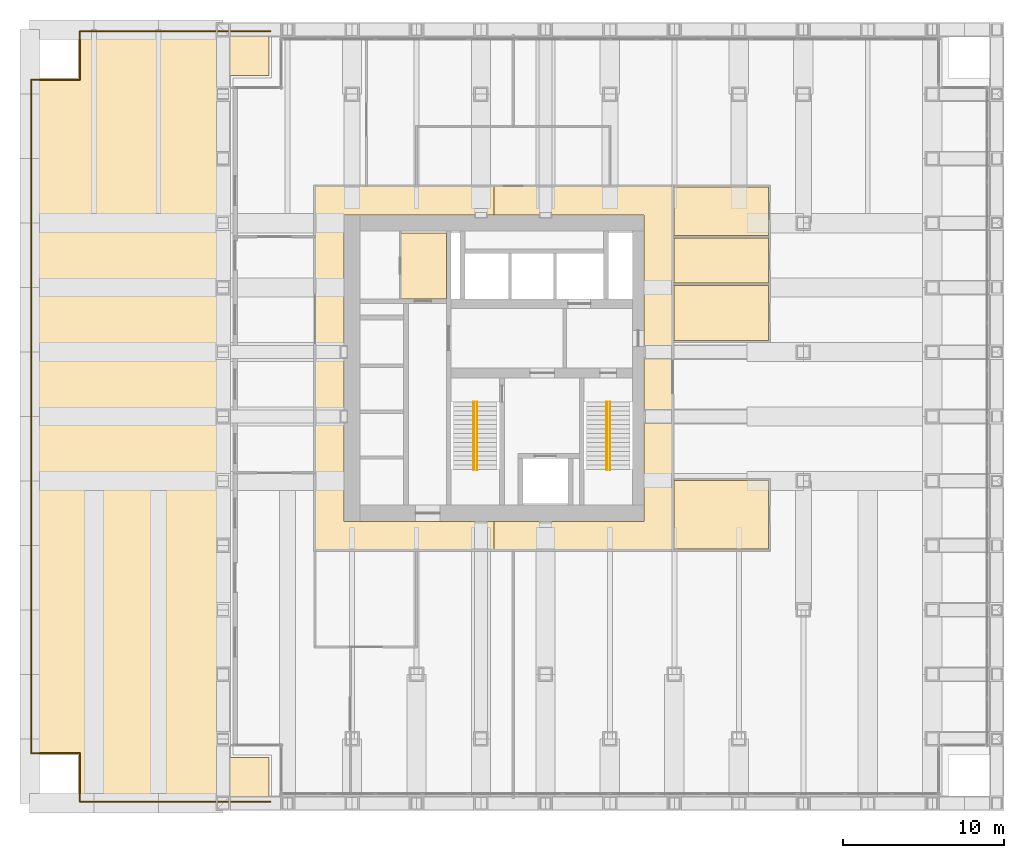
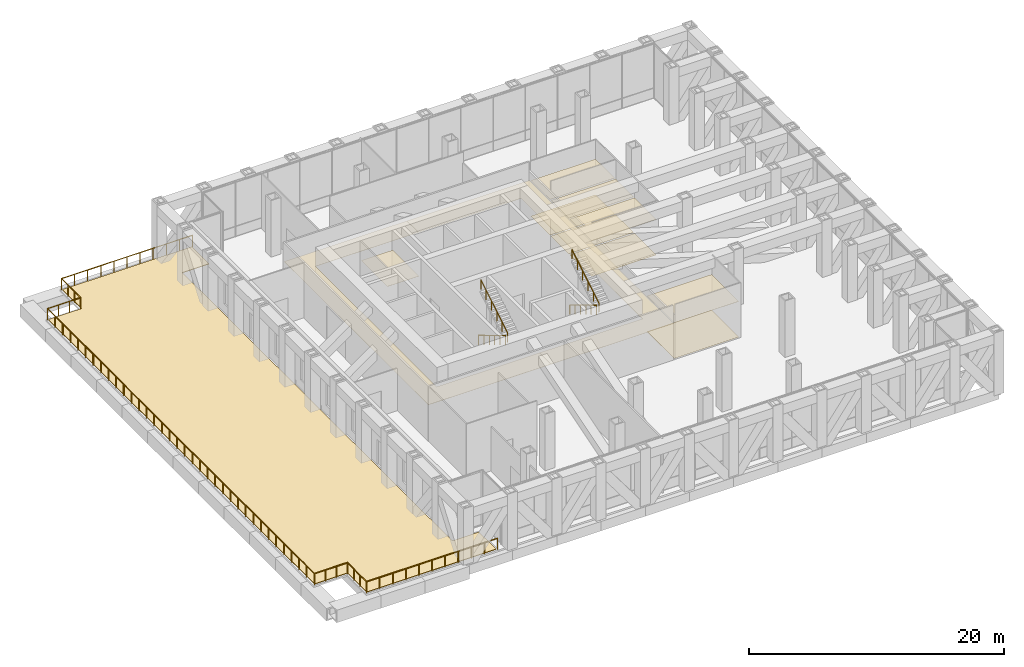
# One storey, part 14 of 14: 12 coverings, 5 railings.
"""IFC4 building model written with IfcOpenShell, lengths in metres."""

import ifcopenshell
import ifcopenshell.guid

model = None  # the IFC model being written
_history = None  # IfcOwnerHistory: only IFC2X3 demands one
_inside = {}  # id of a spatial element -> (the spatial element, [elements in it])
_under = {}  # id of a project, library or spatial element -> (it, [spatial elements below it])
_declared = {}  # id of a project -> (the project, [libraries it declares])
_typed = {}  # id of a type object -> (the type object, [elements of that type])
_made_of = {}  # id of a material, layer set ... -> (it, [elements and type objects made of it])


def new_model(schema):
    """Start an empty IFC model of exactly this schema.

    Asked for "IFC4X3", IfcOpenShell would pick the latest addendum, in which some entities
    have other attributes; the version numbers below select the first issue.
    IFC2X3 requires an IfcOwnerHistory on every rooted entity: one is made here for all.
    """
    global model, _history
    if schema == "IFC4X3":
        model = ifcopenshell.file(schema_version=(4, 3, 0, 0))
    else:
        model = ifcopenshell.file(schema=schema)
    _inside.clear()
    _under.clear()
    _declared.clear()
    _typed.clear()
    _made_of.clear()
    _history = None
    if model.schema == "IFC2X3":
        org = make("IfcOrganization", Name="unknown")
        user = make(
            "IfcPersonAndOrganization",
            ThePerson=make("IfcPerson", FamilyName="unknown"),
            TheOrganization=org,
        )
        app = make(
            "IfcApplication",
            ApplicationDeveloper=org,
            Version="unknown",
            ApplicationFullName="unknown",
            ApplicationIdentifier="unknown",
        )
        _history = make(
            "IfcOwnerHistory",
            OwningUser=user,
            OwningApplication=app,
            ChangeAction="ADDED",
            CreationDate=0,
        )
    return model


def make(cls, **values):
    """One entity of the class cls with the attributes given. An attribute that is None is left unset."""
    return model.create_entity(
        cls, **{name: value for name, value in values.items() if value is not None}
    )


def rooted(cls, **values):
    """An entity with a GlobalId (a new one), such as an element, a storey or a relation."""
    return make(cls, GlobalId=ifcopenshell.guid.new(), OwnerHistory=_history, **values)


def si_unit(unit_type, name, prefix=None):
    """IfcSIUnit, for example si_unit("LENGTHUNIT", "METRE", prefix="MILLI")."""
    return make("IfcSIUnit", UnitType=unit_type, Prefix=prefix, Name=name)


def assignment(units):
    """IfcUnitAssignment: the units of a project."""
    return None if units is None else make("IfcUnitAssignment", Units=units)


def point(xyz):
    """IfcCartesianPoint."""
    return None if xyz is None else make("IfcCartesianPoint", Coordinates=xyz)


def direction(xyz):
    """IfcDirection."""
    return None if xyz is None else make("IfcDirection", DirectionRatios=xyz)


def frame(location, z_axis=None, x_axis=None):
    """IfcAxis2Placement3D, a coordinate frame: its origin and axes. An axis left out is left unset."""
    return make(
        "IfcAxis2Placement3D",
        Location=point(location),
        Axis=direction(z_axis),
        RefDirection=direction(x_axis),
    )


def frame_2d(location, x_axis=None):
    """IfcAxis2Placement2D, a coordinate frame in the plane: its origin and x axis."""
    return make(
        "IfcAxis2Placement2D", Location=point(location), RefDirection=direction(x_axis)
    )


def origin():
    """The frame at (0, 0, 0) with its axes left unset."""
    return frame((0.0, 0.0, 0.0))


def origin_2d():
    """The frame at (0, 0) in the plane with its x axis left unset."""
    return frame_2d((0.0, 0.0))


def place(relative_to, where):
    """IfcLocalPlacement: puts the frame where relative to a parent placement (None: the world)."""
    return make(
        "IfcLocalPlacement", PlacementRelTo=relative_to, RelativePlacement=where
    )


def context(
    kind, dimensions, precision=None, world=None, true_north=None, identifier=None
):
    """IfcGeometricRepresentationContext, for example the 3D "Model" context."""
    return make(
        "IfcGeometricRepresentationContext",
        ContextIdentifier=identifier,
        ContextType=kind,
        CoordinateSpaceDimension=dimensions,
        Precision=precision,
        WorldCoordinateSystem=world,
        TrueNorth=true_north,
    )


def subcontext(parent, identifier, kind, view, scale=None):
    """IfcGeometricRepresentationSubContext, for example "Body" below "Model"."""
    return make(
        "IfcGeometricRepresentationSubContext",
        ContextIdentifier=identifier,
        ContextType=kind,
        ParentContext=parent,
        TargetScale=scale,
        TargetView=view,
    )


def project(units=None, contexts=None):
    """IfcProject with its units and contexts."""
    return rooted(
        "IfcProject",
        Name="project",
        RepresentationContexts=contexts,
        UnitsInContext=assignment(units),
    )


def spatial(cls, under=None, at=None, **own):
    """A site, building, storey or space (cls), placed at a placement, below another one or the project."""
    s = rooted(cls, ObjectPlacement=at, **own)
    if under is not None:
        _under.setdefault(under.id(), (under, []))[1].append(s)
    return s


def polyline(points):
    """IfcPolyline through the points."""
    return make("IfcPolyline", Points=[point(p) for p in points])


def profile(cls, at=None, kind="AREA", **sizes):
    """A parametric profile (cls). Its sizes go by their IFC names, for example OverallWidth=200.0."""
    return make(cls, ProfileType=kind, Position=at, **sizes)


def circle(**sizes):
    """IfcCircleProfileDef."""
    return profile("IfcCircleProfileDef", **sizes)


def outline(outer, holes=None, kind="AREA"):
    """IfcArbitraryClosedProfileDef: a profile drawn as a closed curve; with holes, ...WithVoids."""
    if holes is None:
        return make("IfcArbitraryClosedProfileDef", ProfileType=kind, OuterCurve=outer)
    return make(
        "IfcArbitraryProfileDefWithVoids",
        ProfileType=kind,
        OuterCurve=outer,
        InnerCurves=holes,
    )


def extrude(swept, where, along, depth):
    """IfcExtrudedAreaSolid: the profile swept, set in the frame where, extruded along a direction by depth."""
    return make(
        "IfcExtrudedAreaSolid",
        SweptArea=swept,
        Position=where,
        ExtrudedDirection=direction(along),
        Depth=depth,
    )


def shape(context_of_items, identifier, shape_type, items):
    """IfcShapeRepresentation: the items that make up one representation, for example the "Body"."""
    return make(
        "IfcShapeRepresentation",
        ContextOfItems=context_of_items,
        RepresentationIdentifier=identifier,
        RepresentationType=shape_type,
        Items=items,
    )


def material(Name=None, Category=None):
    """IfcMaterial."""
    return make("IfcMaterial", Name=Name, Category=Category)


def layer(
    of_material, thickness, ventilated=None, Name=None, Category=None, Priority=None
):
    """IfcMaterialLayer: one layer of a wall or slab, of a material (None: an air gap)."""
    return make(
        "IfcMaterialLayer",
        Material=of_material,
        LayerThickness=thickness,
        IsVentilated=ventilated,
        Name=Name,
        Category=Category,
        Priority=Priority,
    )


def layer_set(layers, Name=None):
    """IfcMaterialLayerSet."""
    return make("IfcMaterialLayerSet", MaterialLayers=layers, LayerSetName=Name)


def made_of(thing, what):
    """Note that an element or type object is made of a material, layer set ...; save() writes the relation."""
    if what is not None:
        _made_of.setdefault(what.id(), (what, []))[1].append(thing)
    return thing


def type_object(cls, material=None, **own):
    """A type object (cls), such as IfcWallType, which elements share."""
    return made_of(rooted(cls, **own), material)


def element(
    cls,
    number,
    at=None,
    inside=None,
    cuts=None,
    type_object=None,
    material=None,
    context=None,
    identifier="Body",
    shape_type=None,
    held_by="IfcProductDefinitionShape",
    body=None,
    shapes=None,
    **own,
):
    """One element of the class cls, such as IfcWall. Its Tag is "e" and its number.

    at: its placement. inside: the storey or other place that contains it. cuts: it is an
    opening in that element (IfcRelVoidsElement). A single representation is given by context,
    identifier, shape_type and body (its items); several are given by shapes. held_by: the class
    of the entity that holds the representations. save() writes the other relations.
    """
    e = rooted(cls, Tag="e%d" % number, ObjectPlacement=at, **own)
    if body is not None:
        shapes = [shape(context, identifier, shape_type, body)]
    if shapes is not None:
        e.Representation = make(held_by, Representations=shapes)
    if inside is not None:
        _inside.setdefault(inside.id(), (inside, []))[1].append(e)
    if cuts is not None:
        rooted(
            "IfcRelVoidsElement", RelatingBuildingElement=cuts, RelatedOpeningElement=e
        )
    if type_object is not None:
        _typed.setdefault(type_object.id(), (type_object, []))[1].append(e)
    return made_of(e, material)


def aggregate(whole, parts):
    """IfcRelAggregates: a whole, such as a stair, and the parts it consists of."""
    return rooted("IfcRelAggregates", RelatingObject=whole, RelatedObjects=parts)


def save(model, path):
    """Write the relations noted so far, then the file.

    IfcRelAggregates (storeys below a building ...), IfcRelContainedInSpatialStructure (elements
    in a storey), IfcRelDefinesByType, IfcRelAssociatesMaterial and IfcRelDeclares: one each for
    every whole, place, type object, material and project.
    """
    for whole, parts in _under.values():
        aggregate(whole, parts)
    for where, things in _inside.values():
        rooted(
            "IfcRelContainedInSpatialStructure",
            RelatedElements=things,
            RelatingStructure=where,
        )
    for kind, things in _typed.values():
        rooted("IfcRelDefinesByType", RelatedObjects=things, RelatingType=kind)
    for what, things in _made_of.values():
        rooted("IfcRelAssociatesMaterial", RelatedObjects=things, RelatingMaterial=what)
    for by, libraries in _declared.values():
        rooted("IfcRelDeclares", RelatingContext=by, RelatedDefinitions=libraries)
    model.write(path)


model = new_model("IFC4")

# Units and contexts
model_context = context("Model", 3, precision=1e-05, world=origin(), true_north=direction((0.0, 1.0)))
body_context = subcontext(model_context, "Body", "Model", "MODEL_VIEW")
ifc_project = project(units=[si_unit("LENGTHUNIT", "METRE"), si_unit("AREAUNIT", "SQUARE_METRE"), si_unit("VOLUMEUNIT", "CUBIC_METRE"), si_unit("PLANEANGLEUNIT", "RADIAN"), si_unit("MASSUNIT", "GRAM", prefix="KILO")], contexts=[model_context])

# Site, building, storey
site_placement = place(None, origin())
site = spatial("IfcSite", under=ifc_project, at=site_placement, CompositionType="ELEMENT")
building_placement = place(site_placement, origin())
building = spatial("IfcBuilding", under=site, at=building_placement, Name="Rimbunsela Tower", CompositionType="ELEMENT")
storey_placement = place(building_placement, frame((0.0, 0.0, 71.0)))
storey = spatial("IfcBuildingStorey", under=building, at=storey_placement, Name="L17", CompositionType="ELEMENT", Elevation=71.0)

# Coverings
ifc_material_1 = material(Name="Nylon carpet tile", Category="textile")
ifc_layer_1 = layer(ifc_material_1, 0.010009765625)
ifc_layer_set_1 = layer_set([ifc_layer_1], Name="Carpet tile 10")
covering_type_1 = type_object("IfcCoveringType", Name="Carpet tile 10", PredefinedType="FLOORING", material=ifc_layer_set_1)
covering_1_placement = place(storey_placement, origin())
element("IfcCovering", 1, at=covering_1_placement, inside=storey, type_object=covering_type_1, Name="Floor finish Building engineer's office", PredefinedType="FLOORING", context=body_context, shape_type="SweptSolid", body=[
    extrude(outline(polyline([(43.824951171875, 15.77490234375), (43.824951171875, 20.02490234375), (37.97509765625, 20.02490234375), (37.97509765625, 15.77490234375), (43.824951171875, 15.77490234375)])), origin(), (0.0, 0.0, 1.0), 0.010009765625),
])
covering_2_placement = place(storey_placement, origin())
element("IfcCovering", 2, at=covering_2_placement, inside=storey, type_object=covering_type_1, Name="Floor finish Staff rest room", PredefinedType="FLOORING", context=body_context, shape_type="SweptSolid", body=[
    extrude(outline(polyline([(43.824951171875, 28.72509765625), (43.824951171875, 32.125), (37.97509765625, 32.125), (37.97509765625, 28.72509765625), (43.824951171875, 28.72509765625)])), origin(), (0.0, 0.0, 1.0), 0.010009765625),
])
covering_3_placement = place(storey_placement, origin())
element("IfcCovering", 3, at=covering_3_placement, inside=storey, type_object=covering_type_1, Name="Floor finish First aid room", PredefinedType="FLOORING", context=body_context, shape_type="SweptSolid", body=[
    extrude(outline(polyline([(43.824951171875, 32.27490234375), (43.824951171875, 35.074951171875), (37.97509765625, 35.074951171875), (37.97509765625, 32.27490234375), (43.824951171875, 32.27490234375)])), origin(), (0.0, 0.0, 1.0), 0.010009765625),
])
covering_4_placement = place(storey_placement, origin())
element("IfcCovering", 4, at=covering_4_placement, inside=storey, type_object=covering_type_1, Name="Floor finish Quiet room", PredefinedType="FLOORING", context=body_context, shape_type="SweptSolid", body=[
    extrude(outline(polyline([(43.824951171875, 35.22509765625), (43.824951171875, 38.22509765625), (37.97509765625, 38.22509765625), (37.97509765625, 35.22509765625), (43.824951171875, 35.22509765625)])), origin(), (0.0, 0.0, 1.0), 0.010009765625),
])
ifc_material_2 = material(Name="Mineral fibre ceiling tile", Category="gypsum")
ifc_layer_2 = layer(ifc_material_2, 0.02001953125)
ifc_layer_set_2 = layer_set([ifc_layer_2], Name="Ceiling 600 grid")
covering_type_2 = type_object("IfcCoveringType", Name="Ceiling 600 grid", PredefinedType="CEILING", material=ifc_layer_set_2)
covering_5_placement = place(storey_placement, frame((0.0, 0.0, 3.39990234375)))
element("IfcCovering", 5, at=covering_5_placement, inside=storey, type_object=covering_type_2, Name="Ceiling IT room", PredefinedType="CEILING", context=body_context, shape_type="SweptSolid", body=[
    extrude(outline(polyline([(23.85009765625, 31.300048828125), (23.85009765625, 35.39990234375), (21.0, 35.39990234375), (21.0, 31.300048828125), (23.85009765625, 31.300048828125)])), origin(), (0.0, 0.0, 1.0), 0.02001953125),
])
covering_6_placement = place(storey_placement, frame((0.0, 0.0, 3.39990234375)))
element("IfcCovering", 6, at=covering_6_placement, inside=storey, type_object=covering_type_2, Name="Ceiling Ring corridor", PredefinedType="CEILING", context=body_context, shape_type="SweptSolid", body=[
    extrude(outline(polyline([(15.699951171875, 38.300048828125), (26.800048828125, 38.300048828125), (26.800048828125, 36.5), (17.5, 36.5), (17.5, 17.5), (26.800048828125, 17.5), (26.800048828125, 15.699951171875), (15.699951171875, 15.699951171875), (15.699951171875, 38.300048828125)])), origin(), (0.0, 0.0, 1.0), 0.02001953125),
])
covering_7_placement = place(storey_placement, frame((0.0, 0.0, 3.39990234375)))
element("IfcCovering", 7, at=covering_7_placement, inside=storey, type_object=covering_type_2, Name="Ceiling Ring corridor", PredefinedType="CEILING", context=body_context, shape_type="SweptSolid", body=[
    extrude(outline(polyline([(37.89990234375, 38.300048828125), (37.89990234375, 15.699951171875), (26.800048828125, 15.699951171875), (26.800048828125, 17.5), (36.10009765625, 17.5), (36.10009765625, 36.5), (26.800048828125, 36.5), (26.800048828125, 38.300048828125), (37.89990234375, 38.300048828125)])), origin(), (0.0, 0.0, 1.0), 0.02001953125),
])
covering_8_placement = place(storey_placement, frame((0.0, 0.0, 3.39990234375)))
element("IfcCovering", 8, at=covering_8_placement, inside=storey, type_object=covering_type_2, Name="Ceiling Building engineer's office", PredefinedType="CEILING", context=body_context, shape_type="SweptSolid", body=[
    extrude(outline(polyline([(43.824951171875, 15.77490234375), (43.824951171875, 20.02490234375), (37.97509765625, 20.02490234375), (37.97509765625, 15.77490234375), (43.824951171875, 15.77490234375)])), origin(), (0.0, 0.0, 1.0), 0.02001953125),
])
covering_9_placement = place(storey_placement, frame((0.0, 0.0, 3.39990234375)))
element("IfcCovering", 9, at=covering_9_placement, inside=storey, type_object=covering_type_2, Name="Ceiling Staff rest room", PredefinedType="CEILING", context=body_context, shape_type="SweptSolid", body=[
    extrude(outline(polyline([(43.824951171875, 28.72509765625), (43.824951171875, 32.125), (37.97509765625, 32.125), (37.97509765625, 28.72509765625), (43.824951171875, 28.72509765625)])), origin(), (0.0, 0.0, 1.0), 0.02001953125),
])
covering_10_placement = place(storey_placement, frame((0.0, 0.0, 3.39990234375)))
element("IfcCovering", 10, at=covering_10_placement, inside=storey, type_object=covering_type_2, Name="Ceiling First aid room", PredefinedType="CEILING", context=body_context, shape_type="SweptSolid", body=[
    extrude(outline(polyline([(43.824951171875, 32.27490234375), (43.824951171875, 35.074951171875), (37.97509765625, 35.074951171875), (37.97509765625, 32.27490234375), (43.824951171875, 32.27490234375)])), origin(), (0.0, 0.0, 1.0), 0.02001953125),
])
covering_11_placement = place(storey_placement, frame((0.0, 0.0, 3.39990234375)))
element("IfcCovering", 11, at=covering_11_placement, inside=storey, type_object=covering_type_2, Name="Ceiling Quiet room", PredefinedType="CEILING", context=body_context, shape_type="SweptSolid", body=[
    extrude(outline(polyline([(43.824951171875, 35.22509765625), (43.824951171875, 38.22509765625), (37.97509765625, 38.22509765625), (37.97509765625, 35.22509765625), (43.824951171875, 35.22509765625)])), origin(), (0.0, 0.0, 1.0), 0.02001953125),
])

# Railings
ifc_material_3 = material(Name="Galvanised steel guard", Category="steel")
railing_type_1 = type_object("IfcRailingType", Name="Roof edge guard 1100", PredefinedType="GUARDRAIL", material=ifc_material_3)
railing_1_placement = place(storey_placement, frame((12.949951171875, 0.10009765625, 0.0)))
element("IfcRailing", 12, at=railing_1_placement, inside=storey, type_object=railing_type_1, Name="Roof edge guard L17", PredefinedType="GUARDRAIL", context=body_context, shape_type="SweptSolid", body=[
    extrude(circle(Radius=0.02392578125, at=origin_2d()), frame((0.0, 0.0, 1.076171875), z_axis=(-1.0, 0.0, 0.0), x_axis=(0.0, -1.0, 0.0)), (0.0, 0.0, 1.0), 11.849853515625),
    extrude(circle(Radius=0.02392578125, at=origin_2d()), frame((-11.849853515625, 0.0, 1.076171875), z_axis=(0.0, 1.0, 0.0), x_axis=(-1.0, 0.0, 0.0)), (0.0, 0.0, 1.0), 3.0),
    extrude(circle(Radius=0.02392578125, at=origin_2d()), frame((-11.849853515625, 3.0, 1.076171875), z_axis=(-1.0, 0.0, 0.0), x_axis=(0.0, -1.0, 0.0)), (0.0, 0.0, 1.0), 3.0),
    extrude(circle(Radius=0.02392578125, at=origin_2d()), frame((-14.849853515625, 3.0, 1.076171875), z_axis=(0.0, 1.0, 0.0), x_axis=(-1.0, 0.0, 0.0)), (0.0, 0.0, 1.0), 41.7998046875),
    extrude(circle(Radius=0.02392578125, at=origin_2d()), frame((-14.849853515625, 44.7998046875, 1.076171875), z_axis=(1.0, 0.0, 0.0), x_axis=(0.0, 1.0, 0.0)), (0.0, 0.0, 1.0), 3.0),
    extrude(circle(Radius=0.02392578125, at=origin_2d()), frame((-11.849853515625, 44.7998046875, 1.076171875), z_axis=(0.0, 1.0, 0.0), x_axis=(-1.0, 0.0, 0.0)), (0.0, 0.0, 1.0), 3.0),
    extrude(circle(Radius=0.02392578125, at=origin_2d()), frame((-11.849853515625, 47.7998046875, 1.076171875), z_axis=(1.0, 0.0, 0.0), x_axis=(0.0, 1.0, 0.0)), (0.0, 0.0, 1.0), 11.849853515625),
    extrude(circle(Radius=0.02099609375, at=origin_2d()), origin(), (0.0, 0.0, 1.0), 1.052001953125),
    extrude(circle(Radius=0.02099609375, at=origin_2d()), frame((-1.18505859375, 0.0, 0.0)), (0.0, 0.0, 1.0), 1.052001953125),
    extrude(circle(Radius=0.02099609375, at=origin_2d()), frame((-2.369873046875, 0.0, 0.0)), (0.0, 0.0, 1.0), 1.052001953125),
    extrude(circle(Radius=0.02099609375, at=origin_2d()), frame((-3.554931640625, 0.0, 0.0)), (0.0, 0.0, 1.0), 1.052001953125),
    extrude(circle(Radius=0.02099609375, at=origin_2d()), frame((-4.739990234375, 0.0, 0.0)), (0.0, 0.0, 1.0), 1.052001953125),
    extrude(circle(Radius=0.02099609375, at=origin_2d()), frame((-5.9248046875, 0.0, 0.0)), (0.0, 0.0, 1.0), 1.052001953125),
    extrude(circle(Radius=0.02099609375, at=origin_2d()), frame((-7.10986328125, 0.0, 0.0)), (0.0, 0.0, 1.0), 1.052001953125),
    extrude(circle(Radius=0.02099609375, at=origin_2d()), frame((-8.294921875, 0.0, 0.0)), (0.0, 0.0, 1.0), 1.052001953125),
    extrude(circle(Radius=0.02099609375, at=origin_2d()), frame((-9.47998046875, 0.0, 0.0)), (0.0, 0.0, 1.0), 1.052001953125),
    extrude(circle(Radius=0.02099609375, at=origin_2d()), frame((-10.664794921875, 0.0, 0.0)), (0.0, 0.0, 1.0), 1.052001953125),
    extrude(circle(Radius=0.02099609375, at=origin_2d()), frame((-11.849853515625, 0.0, 0.0)), (0.0, 0.0, 1.0), 1.052001953125),
    extrude(circle(Radius=0.02099609375, at=origin_2d()), frame((-11.849853515625, 1.0, 0.0)), (0.0, 0.0, 1.0), 1.052001953125),
    extrude(circle(Radius=0.02099609375, at=origin_2d()), frame((-11.849853515625, 2.0, 0.0)), (0.0, 0.0, 1.0), 1.052001953125),
    extrude(circle(Radius=0.02099609375, at=origin_2d()), frame((-11.849853515625, 3.0, 0.0)), (0.0, 0.0, 1.0), 1.052001953125),
    extrude(circle(Radius=0.02099609375, at=origin_2d()), frame((-12.849853515625, 3.0, 0.0)), (0.0, 0.0, 1.0), 1.052001953125),
    extrude(circle(Radius=0.02099609375, at=origin_2d()), frame((-13.849853515625, 3.0, 0.0)), (0.0, 0.0, 1.0), 1.052001953125),
    extrude(circle(Radius=0.02099609375, at=origin_2d()), frame((-14.849853515625, 3.0, 0.0)), (0.0, 0.0, 1.0), 1.052001953125),
    extrude(circle(Radius=0.02099609375, at=origin_2d()), frame((-14.849853515625, 4.1943359375, 0.0)), (0.0, 0.0, 1.0), 1.052001953125),
    extrude(circle(Radius=0.02099609375, at=origin_2d()), frame((-14.849853515625, 5.388671875, 0.0)), (0.0, 0.0, 1.0), 1.052001953125),
    extrude(circle(Radius=0.02099609375, at=origin_2d()), frame((-14.849853515625, 6.582763671875, 0.0)), (0.0, 0.0, 1.0), 1.052001953125),
    extrude(circle(Radius=0.02099609375, at=origin_2d()), frame((-14.849853515625, 7.777099609375, 0.0)), (0.0, 0.0, 1.0), 1.052001953125),
    extrude(circle(Radius=0.02099609375, at=origin_2d()), frame((-14.849853515625, 8.971435546875, 0.0)), (0.0, 0.0, 1.0), 1.052001953125),
    extrude(circle(Radius=0.02099609375, at=origin_2d()), frame((-14.849853515625, 10.165771484375, 0.0)), (0.0, 0.0, 1.0), 1.052001953125),
    extrude(circle(Radius=0.02099609375, at=origin_2d()), frame((-14.849853515625, 11.35986328125, 0.0)), (0.0, 0.0, 1.0), 1.052001953125),
    extrude(circle(Radius=0.02099609375, at=origin_2d()), frame((-14.849853515625, 12.55419921875, 0.0)), (0.0, 0.0, 1.0), 1.052001953125),
    extrude(circle(Radius=0.02099609375, at=origin_2d()), frame((-14.849853515625, 13.74853515625, 0.0)), (0.0, 0.0, 1.0), 1.052001953125),
    extrude(circle(Radius=0.02099609375, at=origin_2d()), frame((-14.849853515625, 14.94287109375, 0.0)), (0.0, 0.0, 1.0), 1.052001953125),
    extrude(circle(Radius=0.02099609375, at=origin_2d()), frame((-14.849853515625, 16.136962890625, 0.0)), (0.0, 0.0, 1.0), 1.052001953125),
    extrude(circle(Radius=0.02099609375, at=origin_2d()), frame((-14.849853515625, 17.331298828125, 0.0)), (0.0, 0.0, 1.0), 1.052001953125),
    extrude(circle(Radius=0.02099609375, at=origin_2d()), frame((-14.849853515625, 18.525634765625, 0.0)), (0.0, 0.0, 1.0), 1.052001953125),
    extrude(circle(Radius=0.02099609375, at=origin_2d()), frame((-14.849853515625, 19.719970703125, 0.0)), (0.0, 0.0, 1.0), 1.052001953125),
    extrude(circle(Radius=0.02099609375, at=origin_2d()), frame((-14.849853515625, 20.914306640625, 0.0)), (0.0, 0.0, 1.0), 1.052001953125),
    extrude(circle(Radius=0.02099609375, at=origin_2d()), frame((-14.849853515625, 22.1083984375, 0.0)), (0.0, 0.0, 1.0), 1.052001953125),
    extrude(circle(Radius=0.02099609375, at=origin_2d()), frame((-14.849853515625, 23.302734375, 0.0)), (0.0, 0.0, 1.0), 1.052001953125),
    extrude(circle(Radius=0.02099609375, at=origin_2d()), frame((-14.849853515625, 24.4970703125, 0.0)), (0.0, 0.0, 1.0), 1.052001953125),
    extrude(circle(Radius=0.02099609375, at=origin_2d()), frame((-14.849853515625, 25.69140625, 0.0)), (0.0, 0.0, 1.0), 1.052001953125),
    extrude(circle(Radius=0.02099609375, at=origin_2d()), frame((-14.849853515625, 26.885498046875, 0.0)), (0.0, 0.0, 1.0), 1.052001953125),
    extrude(circle(Radius=0.02099609375, at=origin_2d()), frame((-14.849853515625, 28.079833984375, 0.0)), (0.0, 0.0, 1.0), 1.052001953125),
    extrude(circle(Radius=0.02099609375, at=origin_2d()), frame((-14.849853515625, 29.274169921875, 0.0)), (0.0, 0.0, 1.0), 1.052001953125),
    extrude(circle(Radius=0.02099609375, at=origin_2d()), frame((-14.849853515625, 30.468505859375, 0.0)), (0.0, 0.0, 1.0), 1.052001953125),
    extrude(circle(Radius=0.02099609375, at=origin_2d()), frame((-14.849853515625, 31.662841796875, 0.0)), (0.0, 0.0, 1.0), 1.052001953125),
    extrude(circle(Radius=0.02099609375, at=origin_2d()), frame((-14.849853515625, 32.85693359375, 0.0)), (0.0, 0.0, 1.0), 1.052001953125),
    extrude(circle(Radius=0.02099609375, at=origin_2d()), frame((-14.849853515625, 34.05126953125, 0.0)), (0.0, 0.0, 1.0), 1.052001953125),
    extrude(circle(Radius=0.02099609375, at=origin_2d()), frame((-14.849853515625, 35.24560546875, 0.0)), (0.0, 0.0, 1.0), 1.052001953125),
    extrude(circle(Radius=0.02099609375, at=origin_2d()), frame((-14.849853515625, 36.43994140625, 0.0)), (0.0, 0.0, 1.0), 1.052001953125),
    extrude(circle(Radius=0.02099609375, at=origin_2d()), frame((-14.849853515625, 37.634033203125, 0.0)), (0.0, 0.0, 1.0), 1.052001953125),
    extrude(circle(Radius=0.02099609375, at=origin_2d()), frame((-14.849853515625, 38.828369140625, 0.0)), (0.0, 0.0, 1.0), 1.052001953125),
    extrude(circle(Radius=0.02099609375, at=origin_2d()), frame((-14.849853515625, 40.022705078125, 0.0)), (0.0, 0.0, 1.0), 1.052001953125),
    extrude(circle(Radius=0.02099609375, at=origin_2d()), frame((-14.849853515625, 41.217041015625, 0.0)), (0.0, 0.0, 1.0), 1.052001953125),
    extrude(circle(Radius=0.02099609375, at=origin_2d()), frame((-14.849853515625, 42.4111328125, 0.0)), (0.0, 0.0, 1.0), 1.052001953125),
    extrude(circle(Radius=0.02099609375, at=origin_2d()), frame((-14.849853515625, 43.60546875, 0.0)), (0.0, 0.0, 1.0), 1.052001953125),
    extrude(circle(Radius=0.02099609375, at=origin_2d()), frame((-14.849853515625, 44.7998046875, 0.0)), (0.0, 0.0, 1.0), 1.052001953125),
    extrude(circle(Radius=0.02099609375, at=origin_2d()), frame((-13.849853515625, 44.7998046875, 0.0)), (0.0, 0.0, 1.0), 1.052001953125),
    extrude(circle(Radius=0.02099609375, at=origin_2d()), frame((-12.849853515625, 44.7998046875, 0.0)), (0.0, 0.0, 1.0), 1.052001953125),
    extrude(circle(Radius=0.02099609375, at=origin_2d()), frame((-11.849853515625, 44.7998046875, 0.0)), (0.0, 0.0, 1.0), 1.052001953125),
    extrude(circle(Radius=0.02099609375, at=origin_2d()), frame((-11.849853515625, 45.7998046875, 0.0)), (0.0, 0.0, 1.0), 1.052001953125),
    extrude(circle(Radius=0.02099609375, at=origin_2d()), frame((-11.849853515625, 46.7998046875, 0.0)), (0.0, 0.0, 1.0), 1.052001953125),
    extrude(circle(Radius=0.02099609375, at=origin_2d()), frame((-11.849853515625, 47.7998046875, 0.0)), (0.0, 0.0, 1.0), 1.052001953125),
    extrude(circle(Radius=0.02099609375, at=origin_2d()), frame((-10.664794921875, 47.7998046875, 0.0)), (0.0, 0.0, 1.0), 1.052001953125),
    extrude(circle(Radius=0.02099609375, at=origin_2d()), frame((-9.47998046875, 47.7998046875, 0.0)), (0.0, 0.0, 1.0), 1.052001953125),
    extrude(circle(Radius=0.02099609375, at=origin_2d()), frame((-8.294921875, 47.7998046875, 0.0)), (0.0, 0.0, 1.0), 1.052001953125),
    extrude(circle(Radius=0.02099609375, at=origin_2d()), frame((-7.10986328125, 47.7998046875, 0.0)), (0.0, 0.0, 1.0), 1.052001953125),
    extrude(circle(Radius=0.02099609375, at=origin_2d()), frame((-5.9248046875, 47.7998046875, 0.0)), (0.0, 0.0, 1.0), 1.052001953125),
    extrude(circle(Radius=0.02099609375, at=origin_2d()), frame((-4.739990234375, 47.7998046875, 0.0)), (0.0, 0.0, 1.0), 1.052001953125),
    extrude(circle(Radius=0.02099609375, at=origin_2d()), frame((-3.554931640625, 47.7998046875, 0.0)), (0.0, 0.0, 1.0), 1.052001953125),
    extrude(circle(Radius=0.02099609375, at=origin_2d()), frame((-2.369873046875, 47.7998046875, 0.0)), (0.0, 0.0, 1.0), 1.052001953125),
    extrude(circle(Radius=0.02099609375, at=origin_2d()), frame((-1.18505859375, 47.7998046875, 0.0)), (0.0, 0.0, 1.0), 1.052001953125),
    extrude(circle(Radius=0.02099609375, at=origin_2d()), frame((0.0, 47.7998046875, 0.0)), (0.0, 0.0, 1.0), 1.052001953125),
])
ifc_material_4 = material(Name="Stainless steel tube", Category="steel")
railing_type_2 = type_object("IfcRailingType", Name="Stair handrail 900", PredefinedType="HANDRAIL", material=ifc_material_4)
railing_2_placement = place(storey_placement, frame((25.550048828125, 24.89990234375, 0.168701171875)))
element("IfcRailing", 13, at=railing_2_placement, inside=storey, type_object=railing_type_2, Name="Handrail ST-A flight 1", PredefinedType="HANDRAIL", context=body_context, shape_type="SweptSolid", body=[
    extrude(circle(Radius=0.02392578125, at=origin_2d()), frame((0.0, 0.0, 0.8759765625), z_axis=(0.0, -0.856476492594, 0.516186030065), x_axis=(1.0, 0.0, 0.0)), (0.0, 0.0, 1.0), 4.90380859375),
    extrude(circle(Radius=0.02099609375, at=origin_2d()), origin(), (0.0, 0.0, 1.0), 0.851806640625),
    extrude(circle(Radius=0.02099609375, at=origin_2d()), frame((0.0, -0.840087890625, 0.50634765625)), (0.0, 0.0, 1.0), 0.851806640625),
    extrude(circle(Radius=0.02099609375, at=origin_2d()), frame((0.0, -1.679931640625, 1.012451171875)), (0.0, 0.0, 1.0), 0.851806640625),
    extrude(circle(Radius=0.02099609375, at=origin_2d()), frame((0.0, -2.52001953125, 1.518798828125)), (0.0, 0.0, 1.0), 0.851806640625),
    extrude(circle(Radius=0.02099609375, at=origin_2d()), frame((0.0, -3.35986328125, 2.02490234375)), (0.0, 0.0, 1.0), 0.851806640625),
    extrude(circle(Radius=0.02099609375, at=origin_2d()), frame((0.0, -4.199951171875, 2.53125)), (0.0, 0.0, 1.0), 0.851806640625),
])
railing_3_placement = place(storey_placement, frame((25.75, 20.699951171875, 2.86865234375)))
element("IfcRailing", 14, at=railing_3_placement, inside=storey, type_object=railing_type_2, Name="Handrail ST-A flight 2", PredefinedType="HANDRAIL", context=body_context, shape_type="SweptSolid", body=[
    extrude(circle(Radius=0.02392578125, at=origin_2d()), frame((0.0, 0.0, 0.8759765625), z_axis=(0.0, 0.856476492594, 0.516186030065), x_axis=(-1.0, 0.0, 0.0)), (0.0, 0.0, 1.0), 4.90380859375),
    extrude(circle(Radius=0.02099609375, at=origin_2d()), origin(), (0.0, 0.0, 1.0), 0.851806640625),
    extrude(circle(Radius=0.02099609375, at=origin_2d()), frame((0.0, 0.840087890625, 0.50634765625)), (0.0, 0.0, 1.0), 0.851806640625),
    extrude(circle(Radius=0.02099609375, at=origin_2d()), frame((0.0, 1.679931640625, 1.012451171875)), (0.0, 0.0, 1.0), 0.851806640625),
    extrude(circle(Radius=0.02099609375, at=origin_2d()), frame((0.0, 2.52001953125, 1.518798828125)), (0.0, 0.0, 1.0), 0.851806640625),
    extrude(circle(Radius=0.02099609375, at=origin_2d()), frame((0.0, 3.35986328125, 2.02490234375)), (0.0, 0.0, 1.0), 0.851806640625),
    extrude(circle(Radius=0.02099609375, at=origin_2d()), frame((0.0, 4.199951171875, 2.53125)), (0.0, 0.0, 1.0), 0.851806640625),
])
railing_4_placement = place(storey_placement, frame((33.800048828125, 24.89990234375, 0.168701171875)))
element("IfcRailing", 15, at=railing_4_placement, inside=storey, type_object=railing_type_2, Name="Handrail ST-B flight 1", PredefinedType="HANDRAIL", context=body_context, shape_type="SweptSolid", body=[
    extrude(circle(Radius=0.02392578125, at=origin_2d()), frame((0.0, 0.0, 0.8759765625), z_axis=(0.0, -0.856476492594, 0.516186030065), x_axis=(1.0, 0.0, 0.0)), (0.0, 0.0, 1.0), 4.90380859375),
    extrude(circle(Radius=0.02099609375, at=origin_2d()), origin(), (0.0, 0.0, 1.0), 0.851806640625),
    extrude(circle(Radius=0.02099609375, at=origin_2d()), frame((0.0, -0.840087890625, 0.50634765625)), (0.0, 0.0, 1.0), 0.851806640625),
    extrude(circle(Radius=0.02099609375, at=origin_2d()), frame((0.0, -1.679931640625, 1.012451171875)), (0.0, 0.0, 1.0), 0.851806640625),
    extrude(circle(Radius=0.02099609375, at=origin_2d()), frame((0.0, -2.52001953125, 1.518798828125)), (0.0, 0.0, 1.0), 0.851806640625),
    extrude(circle(Radius=0.02099609375, at=origin_2d()), frame((0.0, -3.35986328125, 2.02490234375)), (0.0, 0.0, 1.0), 0.851806640625),
    extrude(circle(Radius=0.02099609375, at=origin_2d()), frame((0.0, -4.199951171875, 2.53125)), (0.0, 0.0, 1.0), 0.851806640625),
])
railing_5_placement = place(storey_placement, frame((34.0, 20.699951171875, 2.86865234375)))
element("IfcRailing", 16, at=railing_5_placement, inside=storey, type_object=railing_type_2, Name="Handrail ST-B flight 2", PredefinedType="HANDRAIL", context=body_context, shape_type="SweptSolid", body=[
    extrude(circle(Radius=0.02392578125, at=origin_2d()), frame((0.0, 0.0, 0.8759765625), z_axis=(0.0, 0.856476492594, 0.516186030065), x_axis=(-1.0, 0.0, 0.0)), (0.0, 0.0, 1.0), 4.90380859375),
    extrude(circle(Radius=0.02099609375, at=origin_2d()), origin(), (0.0, 0.0, 1.0), 0.851806640625),
    extrude(circle(Radius=0.02099609375, at=origin_2d()), frame((0.0, 0.840087890625, 0.50634765625)), (0.0, 0.0, 1.0), 0.851806640625),
    extrude(circle(Radius=0.02099609375, at=origin_2d()), frame((0.0, 1.679931640625, 1.012451171875)), (0.0, 0.0, 1.0), 0.851806640625),
    extrude(circle(Radius=0.02099609375, at=origin_2d()), frame((0.0, 2.52001953125, 1.518798828125)), (0.0, 0.0, 1.0), 0.851806640625),
    extrude(circle(Radius=0.02099609375, at=origin_2d()), frame((0.0, 3.35986328125, 2.02490234375)), (0.0, 0.0, 1.0), 0.851806640625),
    extrude(circle(Radius=0.02099609375, at=origin_2d()), frame((0.0, 4.199951171875, 2.53125)), (0.0, 0.0, 1.0), 0.851806640625),
])

# Covering
ifc_material_5 = material(Name="Porcelain paving on pedestals", Category="masonry")
ifc_layer_3 = layer(ifc_material_5, 0.050048828125)
ifc_layer_set_3 = layer_set([ifc_layer_3], Name="Terrace paving 50")
covering_type_3 = type_object("IfcCoveringType", Name="Terrace paving 50", PredefinedType="FLOORING", material=ifc_layer_set_3)
covering_12_placement = place(storey_placement, origin())
element("IfcCovering", 17, at=covering_12_placement, inside=storey, type_object=covering_type_3, Name="Maintenance roof walkway L17", PredefinedType="FLOORING", context=body_context, shape_type="SweptSolid", body=[
    extrude(outline(polyline([(1.14990234375, 0.14990234375), (1.14990234375, 3.14990234375), (-1.85009765625, 3.14990234375), (-1.85009765625, 44.85009765625), (1.14990234375, 44.85009765625), (1.14990234375, 47.85009765625), (12.85009765625, 47.85009765625), (12.85009765625, 45.14990234375), (10.449951171875, 45.14990234375), (10.449951171875, 2.85009765625), (12.85009765625, 2.85009765625), (12.85009765625, 0.14990234375), (1.14990234375, 0.14990234375)])), origin(), (0.0, 0.0, 1.0), 0.050048828125),
])

save(model, "model.ifc")
